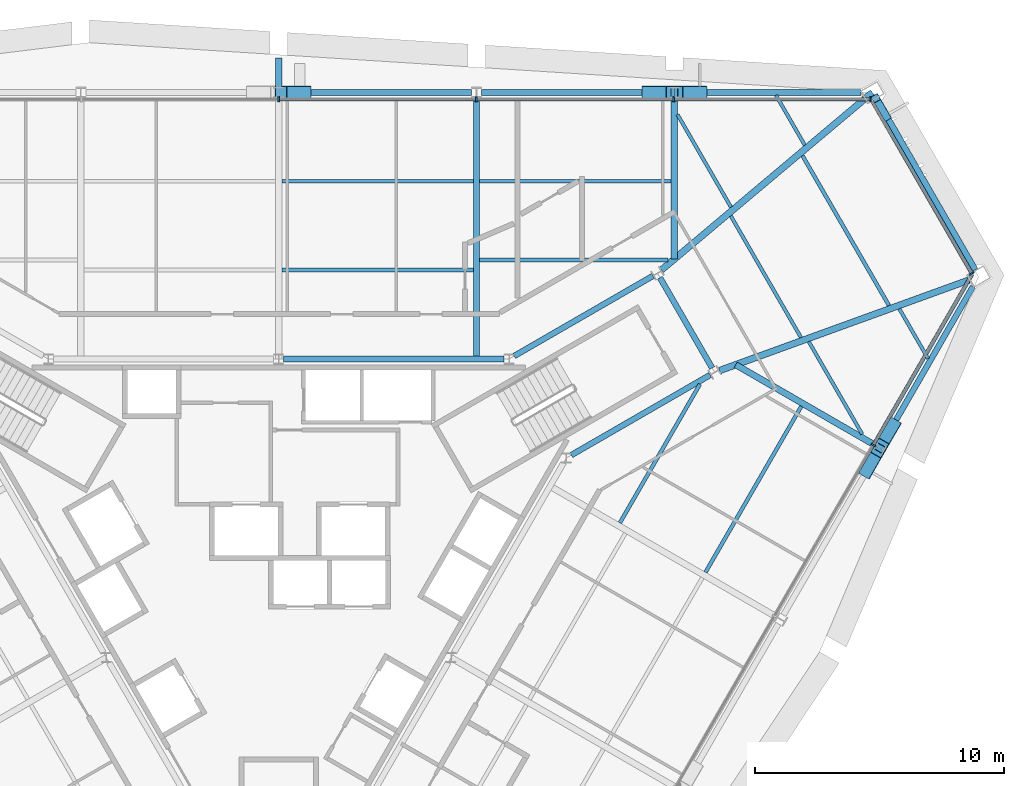
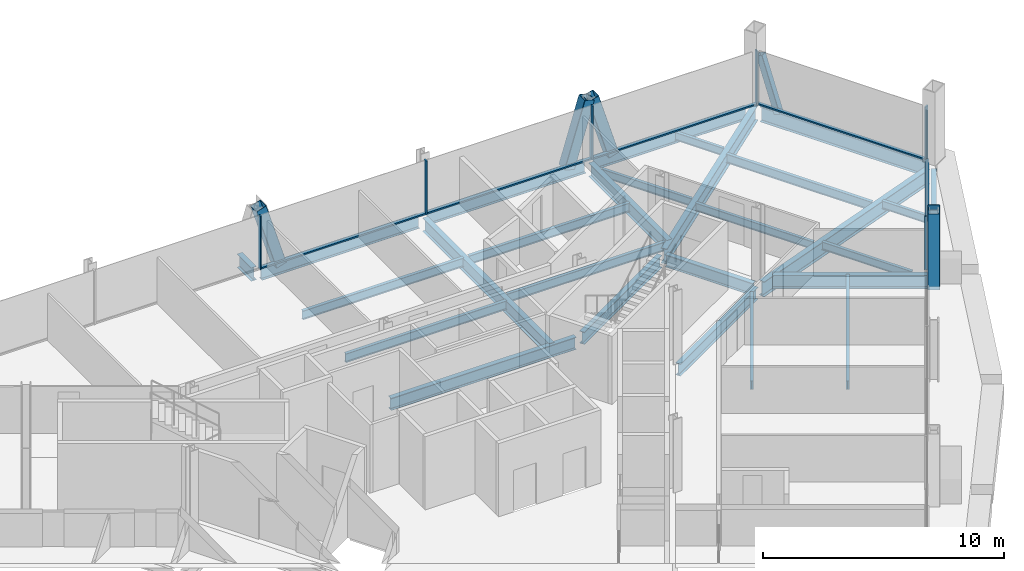
# One storey, part 7 of 14: 27 beams, 17 members, 3 elements without a shape of their own.
"""IFC4 building model written with IfcOpenShell, lengths in metres."""

from ifc_helpers import new_model, si_unit, direction, frame, origin, origin_2d, place, context, subcontext, project, spatial, rectangle, hollow_rectangle, i_section, extrude, material, material_profile, profile_set, type_object, element, aggregate, save


model = new_model("IFC4")

# Units and contexts
model_context = context("Model", 3, precision=1e-05, world=origin(), true_north=direction((0.0, 1.0)))
body_context = subcontext(model_context, "Body", "Model", "MODEL_VIEW")
ifc_project = project(units=[si_unit("LENGTHUNIT", "METRE"), si_unit("AREAUNIT", "SQUARE_METRE"), si_unit("VOLUMEUNIT", "CUBIC_METRE"), si_unit("PLANEANGLEUNIT", "RADIAN"), si_unit("MASSUNIT", "GRAM", prefix="KILO")], contexts=[model_context])

# Site, building, storey
site_placement = place(None, origin())
site = spatial("IfcSite", under=ifc_project, at=site_placement, CompositionType="ELEMENT")
building_placement = place(site_placement, origin())
building = spatial("IfcBuilding", under=site, at=building_placement, Name="Verrane Prism Tower", CompositionType="ELEMENT")
storey_placement = place(building_placement, frame((0.0, 0.0, 196.89990234375)))
storey = spatial("IfcBuildingStorey", under=building, at=storey_placement, Name="L49", CompositionType="ELEMENT", Elevation=196.89990234375)

# Member
ifc_material_1 = material(Name="Steel A500 Grade C", Category="steel")
ifc_material_profile_1 = material_profile(ifc_material_1, hollow_rectangle(XDim=0.3046875, YDim=0.3046875, WallThickness=0.0126953125, InnerFilletRadius=0.00634765625, OuterFilletRadius=0.01904296875, at=origin_2d()), Name="HSS12x12x1/2")
ifc_profile_set_1 = profile_set([ifc_material_profile_1], Name="Steel A500 Grade C")
member_type_1 = type_object("IfcMemberType", Name="Chamfer brace HSS12x12x1/2", PredefinedType="BRACE", material=ifc_profile_set_1)
member_1_placement = place(storey_placement, frame((24.422607421875, 17.73486328125, -0.242431640625), z_axis=(-0.152332325262, 0.263973138981, 0.952424823583), x_axis=(-0.866128586522, -0.499821239653, 0.0)))
element("IfcMember", 1, at=member_1_placement, inside=storey, type_object=member_type_1, Name="Chamfer brace NE0 L49", PredefinedType="BRACE", context=body_context, shape_type="SweptSolid", body=[
    extrude(hollow_rectangle(XDim=0.3046875, YDim=0.3046875, WallThickness=0.0126953125, InnerFilletRadius=0.00634765625, OuterFilletRadius=0.01904296875, at=origin_2d()), origin(), (0.0, 0.0, 1.0), 2.807861328125),
])

# Beams
ifc_material_2 = material(Name="Steel A992", Category="steel")
ifc_material_profile_2 = material_profile(ifc_material_2, i_section(OverallWidth=0.2666015625, OverallDepth=0.7568359375, WebThickness=0.013916015625, FlangeThickness=0.019287109375, FilletRadius=0.0166015625, at=origin_2d()), Name="W30x108")
ifc_profile_set_2 = profile_set([ifc_material_profile_2], Name="Steel A992")
beam_type_1 = type_object("IfcBeamType", Name="Chamfer spandrel beam W30x108", PredefinedType="SPANDREL", material=ifc_profile_set_2)
beam_1_placement = place(storey_placement, frame((27.97998046875, 11.56982421875, -0.538330078125), z_axis=(-0.499772118917, 0.86615693102, 0.0), x_axis=(-0.86615693102, -0.499772118917, 0.0)))
element("IfcBeam", 2, at=beam_1_placement, inside=storey, type_object=beam_type_1, Name="Chamfer spandrel beam L49", PredefinedType="SPANDREL", context=body_context, shape_type="SweptSolid", body=[
    extrude(i_section(OverallWidth=0.2666015625, OverallDepth=0.7568359375, WebThickness=0.013916015625, FlangeThickness=0.019287109375, FilletRadius=0.0166015625, at=origin_2d()), origin(), (0.0, 0.0, 1.0), 7.943603515625),
])
ifc_material_3 = material(Name="Steel A992", Category="steel")
ifc_material_profile_3 = material_profile(ifc_material_3, i_section(OverallWidth=0.23046875, OverallDepth=0.6171875, WebThickness=0.01318359375, FlangeThickness=0.022216796875, FilletRadius=0.012939453125, at=origin_2d()), Name="W24x94")
ifc_profile_set_3 = profile_set([ifc_material_profile_3], Name="Steel A992")
beam_type_2 = type_object("IfcBeamType", Name="Core ring girder W24x94", PredefinedType="BEAM", material=ifc_profile_set_3)
beam_2_placement = place(storey_placement, frame((11.7607421875, 4.1357421875, -0.55859375), z_axis=(0.866075143088, 0.499913839102, 0.0), x_axis=(-0.499913839102, 0.866075143088, 0.0)))
element("IfcBeam", 3, at=beam_2_placement, inside=storey, type_object=beam_type_2, Name="Core ring girder L49", PredefinedType="BEAM", context=body_context, shape_type="SweptSolid", body=[
    extrude(i_section(OverallWidth=0.23046875, OverallDepth=0.6171875, WebThickness=0.01318359375, FlangeThickness=0.022216796875, FilletRadius=0.012939453125, at=origin_2d()), origin(), (0.0, 0.0, 1.0), 6.441650390625),
])
beam_3_placement = place(storey_placement, frame((17.418212890625, 7.635986328125, -0.55859375), z_axis=(-0.500305747711, 0.865848808284, 0.0), x_axis=(-0.865848808284, -0.500305747711, 0.0)))
element("IfcBeam", 4, at=beam_3_placement, inside=storey, type_object=beam_type_2, Name="Core ring girder L49", PredefinedType="BEAM", context=body_context, shape_type="SweptSolid", body=[
    extrude(i_section(OverallWidth=0.23046875, OverallDepth=0.6171875, WebThickness=0.01318359375, FlangeThickness=0.022216796875, FilletRadius=0.012939453125, at=origin_2d()), origin(), (0.0, 0.0, 1.0), 4.1904296875),
])
beam_4_placement = place(storey_placement, frame((15.03955078125, 11.3359375, -0.55859375), z_axis=(-0.866075143088, -0.499913839102, 0.0), x_axis=(0.499913839102, -0.866075143088, 0.0)))
element("IfcBeam", 5, at=beam_4_placement, inside=storey, type_object=beam_type_2, Name="Core ring girder L49", PredefinedType="BEAM", context=body_context, shape_type="SweptSolid", body=[
    extrude(i_section(OverallWidth=0.23046875, OverallDepth=0.6171875, WebThickness=0.01318359375, FlangeThickness=0.022216796875, FilletRadius=0.012939453125, at=origin_2d()), origin(), (0.0, 0.0, 1.0), 6.441650390625),
])
beam_5_placement = place(storey_placement, frame((9.059326171875, 8.0, -0.55859375), z_axis=(-1.0, 0.0, 0.0), x_axis=(0.0, -1.0, 0.0)))
element("IfcBeam", 6, at=beam_5_placement, inside=storey, type_object=beam_type_2, Name="Core ring girder L49", PredefinedType="BEAM", context=body_context, shape_type="SweptSolid", body=[
    extrude(i_section(OverallWidth=0.23046875, OverallDepth=0.6171875, WebThickness=0.01318359375, FlangeThickness=0.022216796875, FilletRadius=0.012939453125, at=origin_2d()), origin(), (0.0, 0.0, 1.0), 8.858642578125),
])
ifc_material_4 = material(Name="Steel A992", Category="steel")
ifc_material_profile_4 = material_profile(ifc_material_4, i_section(OverallWidth=0.2666015625, OverallDepth=0.76708984375, WebThickness=0.014892578125, FlangeThickness=0.023681640625, FilletRadius=0.0166015625, at=origin_2d()), Name="W30x124")
ifc_profile_set_4 = profile_set([ifc_material_profile_4], Name="Steel A992")
beam_type_3 = type_object("IfcBeamType", Name="Corner girder W30x124", PredefinedType="BEAM", material=ifc_profile_set_4)
beam_6_placement = place(storey_placement, frame((27.747314453125, 11.171142578125, -0.603515625), z_axis=(-0.940029060961, -0.341094363114, 0.0), x_axis=(0.341094363114, -0.940029060961, 0.0)))
element("IfcBeam", 7, at=beam_6_placement, inside=storey, type_object=beam_type_3, Name="Corner girder L49", PredefinedType="BEAM", context=body_context, shape_type="SweptSolid", body=[
    extrude(i_section(OverallWidth=0.2666015625, OverallDepth=0.76708984375, WebThickness=0.014892578125, FlangeThickness=0.023681640625, FilletRadius=0.0166015625, at=origin_2d()), origin(), (0.0, 0.0, 1.0), 10.66845703125),
])
beam_7_placement = place(storey_placement, frame((23.85791015625, 18.7080078125, -0.603515625), z_axis=(-0.765174039001, -0.643823492923, 0.0), x_axis=(0.643823492923, -0.765174039001, 0.0)))
element("IfcBeam", 8, at=beam_7_placement, inside=storey, type_object=beam_type_3, Name="Corner girder L49", PredefinedType="BEAM", context=body_context, shape_type="SweptSolid", body=[
    extrude(i_section(OverallWidth=0.2666015625, OverallDepth=0.76708984375, WebThickness=0.014892578125, FlangeThickness=0.023681640625, FilletRadius=0.0166015625, at=origin_2d()), origin(), (0.0, 0.0, 1.0), 11.077392578125),
])

# Members
ifc_material_5 = material(Name="Steel A500 Grade C", Category="steel")
ifc_material_profile_5 = material_profile(ifc_material_5, hollow_rectangle(XDim=0.508056640625, YDim=0.508056640625, WallThickness=0.01904296875, InnerFilletRadius=0.009521484375, OuterFilletRadius=0.028564453125, at=origin_2d()), Name="HSS20x20x3/4")
ifc_profile_set_5 = profile_set([ifc_material_profile_5], Name="Steel A500 Grade C")
member_type_2 = type_object("IfcMemberType", Name="Facade brace HSS20x20x3/4", PredefinedType="BRACE", material=ifc_profile_set_5)
member_2_placement = place(storey_placement, frame((16.9609375, 18.7099609375, -0.216552734375), z_axis=(-0.289597640006, 0.0, 0.957148476937), x_axis=(0.0, -1.0, 0.0)))
element("IfcMember", 9, at=member_2_placement, inside=storey, type_object=member_type_2, Name="Facade brace N0 L49", PredefinedType="BRACE", context=body_context, shape_type="SweptSolid", body=[
    extrude(hollow_rectangle(XDim=0.508056640625, YDim=0.508056640625, WallThickness=0.01904296875, InnerFilletRadius=0.009521484375, OuterFilletRadius=0.028564453125, at=origin_2d()), origin(), (0.0, 0.0, 1.0), 3.323974609375),
])
member_3_placement = place(storey_placement, frame((14.841064453125, 18.7099609375, -0.216552734375), z_axis=(0.291345631639, 0.0, 0.956617856265), x_axis=(0.0, 1.0, 0.0)))
element("IfcMember", 10, at=member_3_placement, inside=storey, type_object=member_type_2, Name="Facade brace N1 L49", PredefinedType="BRACE", context=body_context, shape_type="SweptSolid", body=[
    extrude(hollow_rectangle(XDim=0.508056640625, YDim=0.508056640625, WallThickness=0.01904296875, InnerFilletRadius=0.009521484375, OuterFilletRadius=0.028564453125, at=origin_2d()), origin(), (0.0, 0.0, 1.0), 3.325927734375),
])
member_4_placement = place(storey_placement, frame((1.059326171875, 18.7099609375, -0.216552734375), z_axis=(-0.290270288565, 0.0, 0.956944700375), x_axis=(0.0, -1.0, 0.0)))
element("IfcMember", 11, at=member_4_placement, inside=storey, type_object=member_type_2, Name="Facade brace N2 L49", PredefinedType="BRACE", context=body_context, shape_type="SweptSolid", body=[
    extrude(hollow_rectangle(XDim=0.508056640625, YDim=0.508056640625, WallThickness=0.01904296875, InnerFilletRadius=0.009521484375, OuterFilletRadius=0.028564453125, at=origin_2d()), origin(), (0.0, 0.0, 1.0), 3.32470703125),
])
member_5_placement = place(storey_placement, frame((23.629638671875, 3.501708984375, -0.216552734375), z_axis=(0.14416822817, 0.251321282117, 0.957106647736), x_axis=(-0.867415195595, 0.49758504645, 0.0)))
element("IfcMember", 12, at=member_5_placement, inside=storey, type_object=member_type_2, Name="Facade brace SE4 L49", PredefinedType="BRACE", context=body_context, shape_type="SweptSolid", body=[
    extrude(hollow_rectangle(XDim=0.508056640625, YDim=0.508056640625, WallThickness=0.01904296875, InnerFilletRadius=0.009521484375, OuterFilletRadius=0.028564453125, at=origin_2d()), origin(), (0.0, 0.0, 1.0), 3.32421875),
])
member_6_placement = place(storey_placement, frame((24.68896484375, 5.337890625, -0.216552734375), z_axis=(-0.146159393367, -0.25179644362, 0.956679665672), x_axis=(0.864856046638, -0.502019938442, 0.0)))
element("IfcMember", 13, at=member_6_placement, inside=storey, type_object=member_type_2, Name="Facade brace SE5 L49", PredefinedType="BRACE", context=body_context, shape_type="SweptSolid", body=[
    extrude(hollow_rectangle(XDim=0.508056640625, YDim=0.508056640625, WallThickness=0.01904296875, InnerFilletRadius=0.009521484375, OuterFilletRadius=0.028564453125, at=origin_2d()), origin(), (0.0, 0.0, 1.0), 3.32568359375),
])

# Beams
ifc_material_6 = material(Name="Steel A992", Category="steel")
ifc_material_profile_6 = material_profile(ifc_material_6, i_section(OverallWidth=0.140380859375, OverallDepth=0.40380859375, WebThickness=0.007080078125, FlangeThickness=0.01123046875, FilletRadius=0.01025390625, at=origin_2d()), Name="W16x31")
ifc_profile_set_6 = profile_set([ifc_material_profile_6], Name="Steel A992")
beam_type_4 = type_object("IfcBeamType", Name="Floor beam W16x31", PredefinedType="BEAM", material=ifc_profile_set_6)
beam_8_placement = place(storey_placement, frame((21.138916015625, 16.593994140625, -0.36181640625), z_axis=(-0.50000294753, 0.86602370202, 0.0), x_axis=(-0.86602370202, -0.50000294753, 0.0)))
element("IfcBeam", 14, at=beam_8_placement, inside=storey, type_object=beam_type_4, Name="Floor beam L49", PredefinedType="BEAM", context=body_context, shape_type="SweptSolid", body=[
    extrude(i_section(OverallWidth=0.140380859375, OverallDepth=0.40380859375, WebThickness=0.007080078125, FlangeThickness=0.01123046875, FilletRadius=0.01025390625, at=origin_2d()), origin(), (0.0, 0.0, 1.0), 2.310546875),
])
beam_9_placement = place(storey_placement, frame((18.1748046875, 14.09912109375, -0.36181640625), z_axis=(-0.499996331799, 0.866027521611, 0.0), x_axis=(-0.866027521611, -0.499996331799, 0.0)))
element("IfcBeam", 15, at=beam_9_placement, inside=storey, type_object=beam_type_4, Name="Floor beam L49", PredefinedType="BEAM", context=body_context, shape_type="SweptSolid", body=[
    extrude(i_section(OverallWidth=0.140380859375, OverallDepth=0.40380859375, WebThickness=0.007080078125, FlangeThickness=0.01123046875, FilletRadius=0.01025390625, at=origin_2d()), origin(), (0.0, 0.0, 1.0), 4.29541015625),
])
beam_10_placement = place(storey_placement, frame((26.0966796875, 8.01123046875, -0.36181640625), z_axis=(-0.49999068997, 0.866030778866, 0.0), x_axis=(-0.866030778866, -0.49999068997, 0.0)))
element("IfcBeam", 16, at=beam_10_placement, inside=storey, type_object=beam_type_4, Name="Floor beam L49", PredefinedType="BEAM", context=body_context, shape_type="SweptSolid", body=[
    extrude(i_section(OverallWidth=0.140380859375, OverallDepth=0.40380859375, WebThickness=0.007080078125, FlangeThickness=0.01123046875, FilletRadius=0.01025390625, at=origin_2d()), origin(), (0.0, 0.0, 1.0), 2.31103515625),
])
beam_11_placement = place(storey_placement, frame((23.4482421875, 4.977783203125, -0.36181640625), z_axis=(-0.500024500477, 0.866011257965, 0.0), x_axis=(-0.866011257965, -0.500024500477, 0.0)))
element("IfcBeam", 17, at=beam_11_placement, inside=storey, type_object=beam_type_4, Name="Floor beam L49", PredefinedType="BEAM", context=body_context, shape_type="SweptSolid", body=[
    extrude(i_section(OverallWidth=0.140380859375, OverallDepth=0.40380859375, WebThickness=0.007080078125, FlangeThickness=0.01123046875, FilletRadius=0.01025390625, at=origin_2d()), origin(), (0.0, 0.0, 1.0), 4.291259765625),
])
beam_12_placement = place(storey_placement, frame((20.986572265625, 8.86376953125, -0.36181640625), z_axis=(-0.500001171754, 0.866024727271, 0.0), x_axis=(-0.866024727271, -0.500001171754, 0.0)))
element("IfcBeam", 18, at=beam_12_placement, inside=storey, type_object=beam_type_4, Name="Floor beam L49", PredefinedType="BEAM", context=body_context, shape_type="SweptSolid", body=[
    extrude(i_section(OverallWidth=0.140380859375, OverallDepth=0.40380859375, WebThickness=0.007080078125, FlangeThickness=0.01123046875, FilletRadius=0.01025390625, at=origin_2d()), origin(), (0.0, 0.0, 1.0), 5.63623046875),
])
ifc_material_7 = material(Name="Steel A992", Category="steel")
ifc_material_profile_7 = material_profile(ifc_material_7, i_section(OverallWidth=0.15234375, OverallDepth=0.449462890625, WebThickness=0.007568359375, FlangeThickness=0.0107421875, FilletRadius=0.01025390625, at=origin_2d()), Name="W18x35")
ifc_profile_set_7 = profile_set([ifc_material_profile_7], Name="Steel A992")
beam_type_5 = type_object("IfcBeamType", Name="Floor beam W18x35", PredefinedType="BEAM", material=ifc_profile_set_7)
beam_13_placement = place(storey_placement, frame((8.076904296875, 11.969970703125, -0.384765625), z_axis=(1.0, 0.0, 0.0), x_axis=(0.0, 1.0, 0.0)))
element("IfcBeam", 19, at=beam_13_placement, inside=storey, type_object=beam_type_5, Name="Floor beam L49", PredefinedType="BEAM", context=body_context, shape_type="SweptSolid", body=[
    extrude(i_section(OverallWidth=0.15234375, OverallDepth=0.449462890625, WebThickness=0.007568359375, FlangeThickness=0.0107421875, FilletRadius=0.01025390625, at=origin_2d()), origin(), (0.0, 0.0, 1.0), 7.568115234375),
])
for number, where, z_axis, x_axis, name in (
    (20, (8.076904296875, 15.139892578125, -0.384765625), (1.0, 0.0, 0.0), (0.0, 1.0, 0.0), "Floor beam L49"),
    (21, (0.126953125, 11.570068359375, -0.384765625), (1.0, 0.0, 0.0), (0.0, 1.0, 0.0), "Floor beam L49"),
    (22, (0.126953125, 15.139892578125, -0.384765625), (1.0, 0.0, 0.0), (0.0, 1.0, 0.0), "Floor beam L49"),
):
    element("IfcBeam", number, at=place(storey_placement, frame(where, z_axis=z_axis, x_axis=x_axis)), inside=storey, type_object=beam_type_5, Name=name, PredefinedType="BEAM", context=body_context, shape_type="SweptSolid", body=[
        extrude(i_section(OverallWidth=0.15234375, OverallDepth=0.449462890625, WebThickness=0.007568359375, FlangeThickness=0.0107421875, FilletRadius=0.01025390625, at=origin_2d()), origin(), (0.0, 0.0, 1.0), 7.696044921875),
    ])
beam_14_placement = place(storey_placement, frame((17.151123046875, -0.573974609375, -0.384765625), z_axis=(0.50001143954, 0.866018799062, 0.0), x_axis=(-0.866018799062, 0.50001143954, 0.0)))
element("IfcBeam", 23, at=beam_14_placement, inside=storey, type_object=beam_type_5, Name="Floor beam L49", PredefinedType="BEAM", context=body_context, shape_type="SweptSolid", body=[
    extrude(i_section(OverallWidth=0.15234375, OverallDepth=0.449462890625, WebThickness=0.007568359375, FlangeThickness=0.0107421875, FilletRadius=0.01025390625, at=origin_2d()), origin(), (0.0, 0.0, 1.0), 7.702880859375),
])
beam_15_placement = place(storey_placement, frame((13.7109375, 1.4130859375, -0.384765625), z_axis=(0.499999433879, 0.866025730634, 0.0), x_axis=(-0.866025730634, 0.499999433879, 0.0)))
element("IfcBeam", 24, at=beam_15_placement, inside=storey, type_object=beam_type_5, Name="Floor beam L49", PredefinedType="BEAM", context=body_context, shape_type="SweptSolid", body=[
    extrude(i_section(OverallWidth=0.15234375, OverallDepth=0.449462890625, WebThickness=0.007568359375, FlangeThickness=0.0107421875, FilletRadius=0.01025390625, at=origin_2d()), origin(), (0.0, 0.0, 1.0), 6.4345703125),
])
beam_16_placement = place(storey_placement, frame((24.525390625, 10.14599609375, -0.384765625), z_axis=(-0.500009115389, 0.866020140948, 0.0), x_axis=(-0.866020140948, -0.500009115389, 0.0)))
element("IfcBeam", 25, at=beam_16_placement, inside=storey, type_object=beam_type_5, Name="Floor beam L49", PredefinedType="BEAM", context=body_context, shape_type="SweptSolid", body=[
    extrude(i_section(OverallWidth=0.15234375, OverallDepth=0.449462890625, WebThickness=0.007568359375, FlangeThickness=0.0107421875, FilletRadius=0.01025390625, at=origin_2d()), origin(), (0.0, 0.0, 1.0), 6.954345703125),
])

# Curtain wall, member
ifc_material_8 = material(Name="Aluminium framed insulated glazing", Category="aluminium")
curtain_wall_type = type_object("IfcCurtainWallType", Name="Curtain wall CW-A 8400 module", PredefinedType="NOTDEFINED", material=ifc_material_8)
curtain_wall_1_placement = place(storey_placement, origin())
curtain_wall_1 = element("IfcCurtainWall", 26, at=curtain_wall_1_placement, inside=storey, type_object=curtain_wall_type, Name="Glazed curtain wall north-east corner L49", PredefinedType="NOTDEFINED")
ifc_material_9 = material(Name="Aluminium alloy 6063-T6", Category="aluminium")
ifc_material_profile_8 = material_profile(ifc_material_9, rectangle(XDim=0.199951171875, YDim=0.070068359375, at=origin_2d()), Name="Mullion 70x200 aluminium")
ifc_profile_set_8 = profile_set([ifc_material_profile_8], Name="Aluminium alloy 6063-T6")
member_type_3 = type_object("IfcMemberType", Name="Mullion 70x200 aluminium", PredefinedType="MULLION", material=ifc_profile_set_8)
member_7_placement = place(storey_placement, frame((27.8505859375, 11.4375, 0.0), z_axis=(0.0, 0.0, 1.0), x_axis=(-0.866022763997, -0.500004572218, 0.0)))
member_7 = element("IfcMember", 27, at=member_7_placement, type_object=member_type_3, Name="CW47.1 mullion 1", PredefinedType="MULLION", context=body_context, shape_type="SweptSolid", body=[
    extrude(rectangle(XDim=0.199951171875, YDim=0.070068359375, at=origin_2d()), origin(), (0.0, 0.0, 1.0), 2.712890625),
])

# Curtain wall, members
curtain_wall_2_placement = place(storey_placement, origin())
curtain_wall_2 = element("IfcCurtainWall", 28, at=curtain_wall_2_placement, inside=storey, type_object=curtain_wall_type, Name="Glazed curtain wall north face L49", PredefinedType="NOTDEFINED")
member_8_placement = place(storey_placement, frame((23.77783203125, 18.430908203125, 0.0), z_axis=(0.0, 0.0, 1.0), x_axis=(0.0, -1.0, 0.0)))
member_8 = element("IfcMember", 29, at=member_8_placement, type_object=member_type_3, Name="CW47.2 mullion 1", PredefinedType="MULLION", context=body_context, shape_type="SweptSolid", body=[
    extrude(rectangle(XDim=0.199951171875, YDim=0.070068359375, at=origin_2d()), origin(), (0.0, 0.0, 1.0), 2.712890625),
])
member_9_placement = place(storey_placement, frame((15.875244140625, 18.430908203125, 0.0), z_axis=(0.0, 0.0, 1.0), x_axis=(0.0, -1.0, 0.0)))
member_9 = element("IfcMember", 30, at=member_9_placement, type_object=member_type_3, Name="CW47.2 mullion 2", PredefinedType="MULLION", context=body_context, shape_type="SweptSolid", body=[
    extrude(rectangle(XDim=0.199951171875, YDim=0.070068359375, at=origin_2d()), origin(), (0.0, 0.0, 1.0), 2.712890625),
])
member_10_placement = place(storey_placement, frame((7.937744140625, 18.430908203125, 0.0), z_axis=(0.0, 0.0, 1.0), x_axis=(0.0, -1.0, 0.0)))
member_10 = element("IfcMember", 31, at=member_10_placement, type_object=member_type_3, Name="CW47.2 mullion 3", PredefinedType="MULLION", context=body_context, shape_type="SweptSolid", body=[
    extrude(rectangle(XDim=0.199951171875, YDim=0.070068359375, at=origin_2d()), origin(), (0.0, 0.0, 1.0), 2.712890625),
])
member_11_placement = place(storey_placement, frame((0.0, 18.430908203125, 0.0), z_axis=(0.0, 0.0, 1.0), x_axis=(0.0, -1.0, 0.0)))
member_11 = element("IfcMember", 32, at=member_11_placement, type_object=member_type_3, Name="CW47.2 mullion 4", PredefinedType="MULLION", context=body_context, shape_type="SweptSolid", body=[
    extrude(rectangle(XDim=0.199951171875, YDim=0.070068359375, at=origin_2d()), origin(), (0.0, 0.0, 1.0), 2.712890625),
])

# Curtain wall, member
curtain_wall_3_placement = place(storey_placement, origin())
curtain_wall_3 = element("IfcCurtainWall", 33, at=curtain_wall_3_placement, inside=storey, type_object=curtain_wall_type, Name="Glazed curtain wall south-east face L49", PredefinedType="NOTDEFINED")
member_12_placement = place(storey_placement, frame((23.8994140625, 4.532958984375, 0.0), z_axis=(0.0, 0.0, 1.0), x_axis=(-0.866025652206, 0.499999569721, 0.0)))
member_12 = element("IfcMember", 34, at=member_12_placement, type_object=member_type_3, Name="CW47.6 mullion 6", PredefinedType="MULLION", context=body_context, shape_type="SweptSolid", body=[
    extrude(rectangle(XDim=0.199951171875, YDim=0.070068359375, at=origin_2d()), origin(), (0.0, 0.0, 1.0), 2.712890625),
])

# Beams
ifc_material_10 = material(Name="Steel A992", Category="steel")
ifc_material_profile_9 = material_profile(ifc_material_10, i_section(OverallWidth=0.25390625, OverallDepth=0.683349609375, WebThickness=0.012451171875, FlangeThickness=0.01904296875, FilletRadius=0.01513671875, at=origin_2d()), Name="W27x94")
ifc_profile_set_9 = profile_set([ifc_material_profile_9], Name="Steel A992")
beam_type_6 = type_object("IfcBeamType", Name="Radial girder W27x94", PredefinedType="BEAM", material=ifc_profile_set_9)
beam_17_placement = place(storey_placement, frame((15.89990234375, 18.501708984375, -0.5615234375), z_axis=(0.0, -1.0, 0.0), x_axis=(1.0, 0.0, 0.0)))
element("IfcBeam", 35, at=beam_17_placement, inside=storey, type_object=beam_type_6, Name="Radial girder L49", PredefinedType="BEAM", context=body_context, shape_type="SweptSolid", body=[
    extrude(i_section(OverallWidth=0.25390625, OverallDepth=0.683349609375, WebThickness=0.012451171875, FlangeThickness=0.01904296875, FilletRadius=0.01513671875, at=origin_2d()), origin(), (0.0, 0.0, 1.0), 6.489501953125),
])
beam_18_placement = place(storey_placement, frame((7.949951171875, 18.501708984375, -0.5615234375), z_axis=(0.0, -1.0, 0.0), x_axis=(1.0, 0.0, 0.0)))
element("IfcBeam", 36, at=beam_18_placement, inside=storey, type_object=beam_type_6, Name="Radial girder L49", PredefinedType="BEAM", context=body_context, shape_type="SweptSolid", body=[
    extrude(i_section(OverallWidth=0.25390625, OverallDepth=0.683349609375, WebThickness=0.012451171875, FlangeThickness=0.01904296875, FilletRadius=0.01513671875, at=origin_2d()), origin(), (0.0, 0.0, 1.0), 10.501708984375),
])
beam_19_placement = place(storey_placement, frame((23.9794921875, 4.524169921875, -0.5615234375), z_axis=(-0.866019429159, 0.500010348212, 0.0), x_axis=(-0.500010348212, -0.866019429159, 0.0)))
element("IfcBeam", 37, at=beam_19_placement, inside=storey, type_object=beam_type_6, Name="Radial girder L49", PredefinedType="BEAM", context=body_context, shape_type="SweptSolid", body=[
    extrude(i_section(OverallWidth=0.25390625, OverallDepth=0.683349609375, WebThickness=0.012451171875, FlangeThickness=0.01904296875, FilletRadius=0.01513671875, at=origin_2d()), origin(), (0.0, 0.0, 1.0), 6.484130859375),
])
beam_20_placement = place(storey_placement, frame((0.0, 18.914306640625, -0.5615234375), z_axis=(0.0, 1.0, 0.0), x_axis=(-1.0, 0.0, 0.0)))
element("IfcBeam", 38, at=beam_20_placement, inside=storey, type_object=beam_type_6, Name="Cantilever girder L49", PredefinedType="BEAM", context=body_context, shape_type="SweptSolid", body=[
    extrude(i_section(OverallWidth=0.25390625, OverallDepth=0.683349609375, WebThickness=0.012451171875, FlangeThickness=0.01904296875, FilletRadius=0.01513671875, at=origin_2d()), origin(), (0.0, 0.0, 1.0), 1.17578125),
])
ifc_material_11 = material(Name="Steel A992", Category="steel")
ifc_material_profile_10 = material_profile(ifc_material_11, i_section(OverallWidth=0.23046875, OverallDepth=0.6171875, WebThickness=0.01318359375, FlangeThickness=0.022216796875, FilletRadius=0.012939453125, at=origin_2d()), Name="W24x94")
ifc_profile_set_10 = profile_set([ifc_material_profile_10], Name="Steel A992")
beam_type_7 = type_object("IfcBeamType", Name="Spandrel beam W24x94", PredefinedType="SPANDREL", material=ifc_profile_set_10)
beam_21_placement = place(storey_placement, frame((23.398193359375, 18.7099609375, -0.468505859375), z_axis=(-1.0, 0.0, 0.0), x_axis=(0.0, -1.0, 0.0)))
element("IfcBeam", 39, at=beam_21_placement, inside=storey, type_object=beam_type_7, Name="Spandrel beam L49", PredefinedType="SPANDREL", context=body_context, shape_type="SweptSolid", body=[
    extrude(i_section(OverallWidth=0.23046875, OverallDepth=0.6171875, WebThickness=0.01318359375, FlangeThickness=0.022216796875, FilletRadius=0.012939453125, at=origin_2d()), origin(), (0.0, 0.0, 1.0), 7.294921875),
])
beam_22_placement = place(storey_placement, frame((15.69677734375, 18.7099609375, -0.468505859375), z_axis=(-1.0, 0.0, 0.0), x_axis=(0.0, -1.0, 0.0)))
element("IfcBeam", 40, at=beam_22_placement, inside=storey, type_object=beam_type_7, Name="Spandrel beam L49", PredefinedType="SPANDREL", context=body_context, shape_type="SweptSolid", body=[
    extrude(i_section(OverallWidth=0.23046875, OverallDepth=0.6171875, WebThickness=0.01318359375, FlangeThickness=0.022216796875, FilletRadius=0.012939453125, at=origin_2d()), origin(), (0.0, 0.0, 1.0), 7.54345703125),
])
beam_23_placement = place(storey_placement, frame((7.746826171875, 18.7099609375, -0.468505859375), z_axis=(-1.0, 0.0, 0.0), x_axis=(0.0, -1.0, 0.0)))
element("IfcBeam", 41, at=beam_23_placement, inside=storey, type_object=beam_type_7, Name="Spandrel beam L49", PredefinedType="SPANDREL", context=body_context, shape_type="SweptSolid", body=[
    extrude(i_section(OverallWidth=0.23046875, OverallDepth=0.6171875, WebThickness=0.01318359375, FlangeThickness=0.022216796875, FilletRadius=0.012939453125, at=origin_2d()), origin(), (0.0, 0.0, 1.0), 7.543701171875),
])
beam_24_placement = place(storey_placement, frame((24.261474609375, 4.59619140625, -0.468505859375), z_axis=(0.49926409203, 0.86644986376, 0.0), x_axis=(-0.86644986376, 0.49926409203, 0.0)))
element("IfcBeam", 42, at=beam_24_placement, inside=storey, type_object=beam_type_7, Name="Spandrel beam L49", PredefinedType="SPANDREL", context=body_context, shape_type="SweptSolid", body=[
    extrude(i_section(OverallWidth=0.23046875, OverallDepth=0.6171875, WebThickness=0.01318359375, FlangeThickness=0.022216796875, FilletRadius=0.012939453125, at=origin_2d()), origin(), (0.0, 0.0, 1.0), 7.28662109375),
])

# Member
ifc_material_12 = material(Name="Aluminium alloy 6063-T6", Category="aluminium")
ifc_material_profile_11 = material_profile(ifc_material_12, rectangle(XDim=0.14990234375, YDim=0.070068359375, at=origin_2d()), Name="Transom 70x150 aluminium")
ifc_profile_set_11 = profile_set([ifc_material_profile_11], Name="Aluminium alloy 6063-T6")
member_type_4 = type_object("IfcMemberType", Name="Transom 70x150 aluminium", PredefinedType="USERDEFINED", material=ifc_profile_set_11)
member_13_placement = place(storey_placement, frame((27.833251953125, 11.4677734375, 0.03515625), z_axis=(-0.500008949224, 0.866020236886, 0.0), x_axis=(-0.866020236886, -0.500008949224, 0.0)))
member_13 = element("IfcMember", 43, at=member_13_placement, type_object=member_type_4, Name="CW47.1 transom 1", ObjectType="TRANSOM", PredefinedType="USERDEFINED", context=body_context, shape_type="SweptSolid", body=[
    extrude(rectangle(XDim=0.14990234375, YDim=0.070068359375, at=origin_2d()), origin(), (0.0, 0.0, 1.0), 8.040283203125),
])

aggregate(curtain_wall_1, [member_7, member_13])

member_14_placement = place(storey_placement, frame((23.742919921875, 18.430908203125, 0.03515625), z_axis=(-1.0, 0.0, 0.0), x_axis=(0.0, -1.0, 0.0)))
member_14 = element("IfcMember", 44, at=member_14_placement, type_object=member_type_4, Name="CW47.2 transom 1", ObjectType="TRANSOM", PredefinedType="USERDEFINED", context=body_context, shape_type="SweptSolid", body=[
    extrude(rectangle(XDim=0.14990234375, YDim=0.070068359375, at=origin_2d()), origin(), (0.0, 0.0, 1.0), 7.832763671875),
])

member_15_placement = place(storey_placement, frame((15.84033203125, 18.430908203125, 0.03515625), z_axis=(-1.0, 0.0, 0.0), x_axis=(0.0, -1.0, 0.0)))
member_15 = element("IfcMember", 45, at=member_15_placement, type_object=member_type_4, Name="CW47.2 transom 2", ObjectType="TRANSOM", PredefinedType="USERDEFINED", context=body_context, shape_type="SweptSolid", body=[
    extrude(rectangle(XDim=0.14990234375, YDim=0.070068359375, at=origin_2d()), origin(), (0.0, 0.0, 1.0), 7.86767578125),
])

member_16_placement = place(storey_placement, frame((7.902587890625, 18.430908203125, 0.03515625), z_axis=(-1.0, 0.0, 0.0), x_axis=(0.0, -1.0, 0.0)))
member_16 = element("IfcMember", 46, at=member_16_placement, type_object=member_type_4, Name="CW47.2 transom 3", ObjectType="TRANSOM", PredefinedType="USERDEFINED", context=body_context, shape_type="SweptSolid", body=[
    extrude(rectangle(XDim=0.14990234375, YDim=0.070068359375, at=origin_2d()), origin(), (0.0, 0.0, 1.0), 7.86767578125),
])

aggregate(curtain_wall_2, [member_8, member_9, member_10, member_11, member_14, member_15, member_16])

member_17_placement = place(storey_placement, frame((23.9169921875, 4.563232421875, 0.03515625), z_axis=(0.499993448556, 0.866029186229, 0.0), x_axis=(-0.866029186229, 0.499993448556, 0.0)))
member_17 = element("IfcMember", 47, at=member_17_placement, type_object=member_type_4, Name="CW47.6 transom 6", ObjectType="TRANSOM", PredefinedType="USERDEFINED", context=body_context, shape_type="SweptSolid", body=[
    extrude(rectangle(XDim=0.14990234375, YDim=0.070068359375, at=origin_2d()), origin(), (0.0, 0.0, 1.0), 7.90234375),
])

aggregate(curtain_wall_3, [member_12, member_17])

save(model, "model.ifc")
